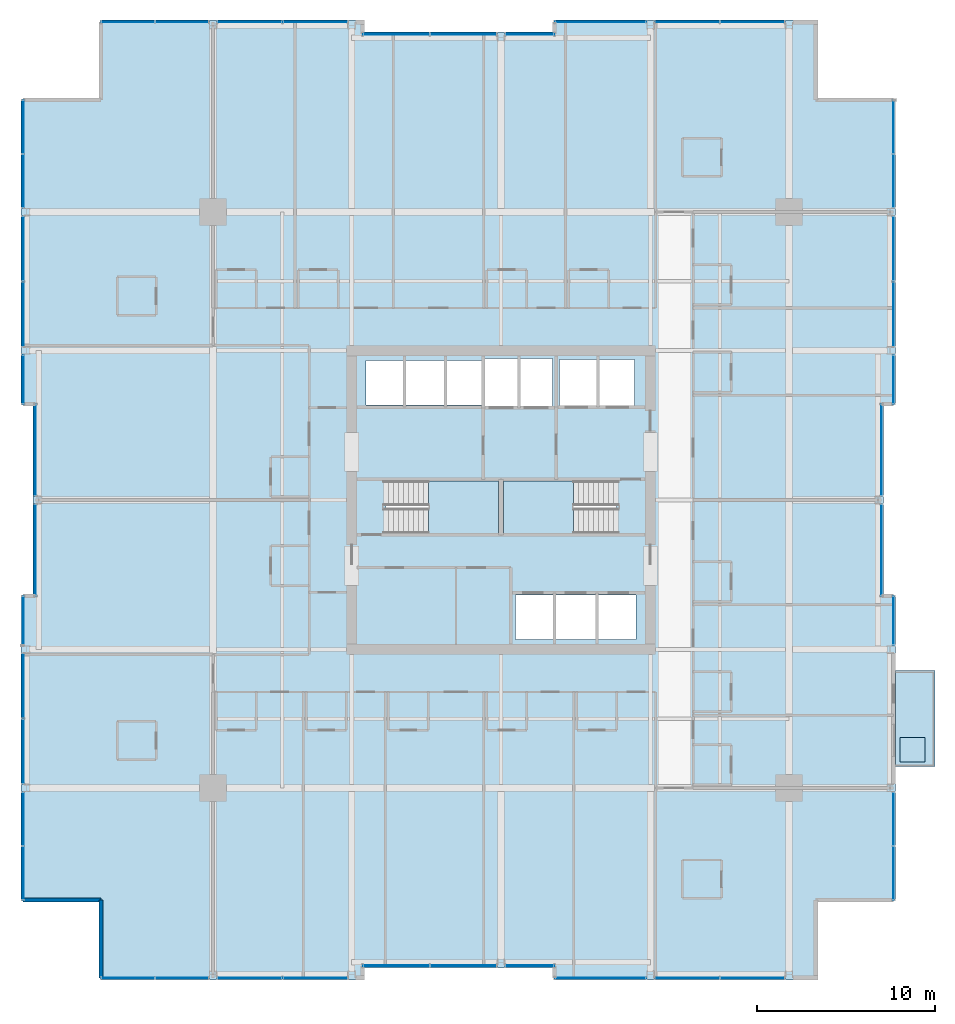
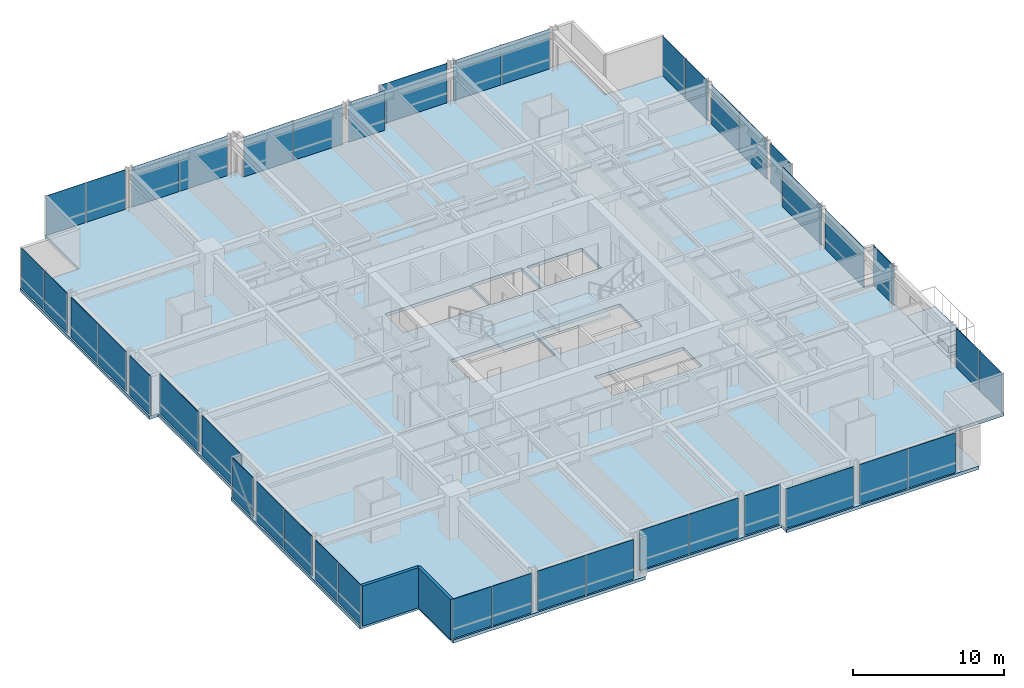
# One storey, part 27 of 35: 42 plates, 5 slabs, 2 walls, 29 elements without a shape of their own.
"""IFC4 building model written with IfcOpenShell, lengths in metres."""

from ifc_helpers import new_model, si_unit, direction, frame, frame_2d, origin, origin_2d, place, context, subcontext, project, spatial, polyline, rectangle, outline, extrude, material, layer, layer_set, type_object, element, aggregate, save


model = new_model("IFC4")

# Units and contexts
model_context = context("Model", 3, precision=1e-05, world=origin(), true_north=direction((0.0, 1.0)))
body_context = subcontext(model_context, "Body", "Model", "MODEL_VIEW")
ifc_project = project(units=[si_unit("LENGTHUNIT", "METRE"), si_unit("AREAUNIT", "SQUARE_METRE"), si_unit("VOLUMEUNIT", "CUBIC_METRE"), si_unit("PLANEANGLEUNIT", "RADIAN"), si_unit("MASSUNIT", "GRAM", prefix="KILO")], contexts=[model_context])

# Site, building, storey
site_placement = place(None, origin())
site = spatial("IfcSite", under=ifc_project, at=site_placement, CompositionType="ELEMENT")
building_placement = place(site_placement, origin())
building = spatial("IfcBuilding", under=site, at=building_placement, Name="Drelvath Grand Hotel", CompositionType="ELEMENT")
storey_placement = place(building_placement, frame((0.0, 0.0, 98.800048828125)))
storey = spatial("IfcBuildingStorey", under=building, at=storey_placement, Name="L24", CompositionType="ELEMENT", Elevation=98.800048828125)

# Slabs
ifc_material_1 = material(Name="Concrete f'c 40 MPa", Category="concrete")
ifc_layer_1 = layer(ifc_material_1, 0.239990234375)
ifc_layer_set_1 = layer_set([ifc_layer_1], Name="Concrete f'c 40 MPa")
slab_type_1 = type_object("IfcSlabType", Name="Cantilevered Tree Balcony Slab 240", PredefinedType="FLOOR", material=ifc_layer_set_1)
slab_1_placement = place(storey_placement, frame((0.0, 0.0, -0.239990234375)))
element("IfcSlab", 1, at=slab_1_placement, inside=storey, type_object=slab_type_1, Name="L24 Cantilevered Tree Balcony Slab 1", PredefinedType="FLOOR", context=body_context, shape_type="SweptSolid", body=[
    extrude(outline(polyline([(22.199951171875, 12.0), (24.39990234375, 12.0), (24.39990234375, 17.39990234375), (22.199951171875, 17.39990234375), (22.199951171875, 12.0)])), origin(), (0.0, 0.0, 1.0), 0.239990234375),
])
ifc_layer_2 = layer(ifc_material_1, 0.260009765625)
ifc_layer_set_2 = layer_set([ifc_layer_2], Name="Concrete f'c 40 MPa")
slab_type_2 = type_object("IfcSlabType", Name="Composite RC Floor Slab 260", PredefinedType="FLOOR", material=ifc_layer_set_2)
slab_2_placement = place(storey_placement, frame((0.0, 0.0, -0.260009765625)))
element("IfcSlab", 2, at=slab_2_placement, inside=storey, type_object=slab_type_2, Name="L24 Structural Floor Slab", PredefinedType="FLOOR", context=body_context, shape_type="SweptSolid", body=[
    extrude(outline(polyline([(-22.5, 0.0), (-7.800048828125, 0.0), (-7.800048828125, 0.679931640625), (3.0, 0.679931640625), (3.0, 0.0), (17.699951171875, 0.0), (17.699951171875, 4.5), (22.199951171875, 4.5), (22.199951171875, 21.60009765625), (21.52001953125, 21.60009765625), (21.52001953125, 32.39990234375), (22.199951171875, 32.39990234375), (22.199951171875, 49.5), (17.699951171875, 49.5), (17.699951171875, 54.0), (3.0, 54.0), (3.0, 53.320068359375), (-7.800048828125, 53.320068359375), (-7.800048828125, 54.0), (-22.5, 54.0), (-22.5, 49.5), (-27.0, 49.5), (-27.0, 32.39990234375), (-26.320068359375, 32.39990234375), (-26.320068359375, 21.60009765625), (-27.0, 21.60009765625), (-27.0, 4.5), (-22.5, 4.5), (-22.5, 0.0)]), holes=[polyline([(-6.47998046875, 25.1201171875), (-6.47998046875, 28.080078125), (-0.14990234375, 28.080078125), (-0.14990234375, 25.1201171875), (-6.47998046875, 25.1201171875)]), polyline([(0.14990234375, 25.1201171875), (0.14990234375, 28.080078125), (6.47998046875, 28.080078125), (6.47998046875, 25.1201171875), (0.14990234375, 25.1201171875)]), polyline([(0.800048828125, 19.14990234375), (0.800048828125, 21.64990234375), (7.60009765625, 21.64990234375), (7.60009765625, 19.14990234375), (0.800048828125, 19.14990234375)]), polyline([(-7.60009765625, 32.35009765625), (-7.60009765625, 34.85009765625), (-1.02001953125, 34.85009765625), (-1.02001953125, 32.35009765625), (-7.60009765625, 32.35009765625)]), polyline([(-0.89990234375, 32.25), (-0.89990234375, 34.949951171875), (2.89990234375, 34.949951171875), (2.89990234375, 32.25), (-0.89990234375, 32.25)]), polyline([(3.300048828125, 32.300048828125), (3.300048828125, 34.89990234375), (7.5, 34.89990234375), (7.5, 32.300048828125), (3.300048828125, 32.300048828125)])]), origin(), (0.0, 0.0, 1.0), 0.260009765625),
])

# Stair, slab
ifc_material_2 = material(Name="Concrete C40/50", Category="concrete")
stair_type = type_object("IfcStairType", Name="Dogleg Exit Stair W1400-R175.0", PredefinedType="HALF_TURN_STAIR", material=ifc_material_2)
stair_1_placement = place(storey_placement, origin())
stair_1 = element("IfcStair", 3, at=stair_1_placement, inside=storey, type_object=stair_type, Name="L24 Core Exit Stair ST-1", PredefinedType="HALF_TURN_STAIR")
ifc_layer_3 = layer(ifc_material_2, 0.199951171875)
ifc_layer_set_3 = layer_set([ifc_layer_3], Name="Concrete C40/50")
slab_type_3 = type_object("IfcSlabType", Name="Concrete Stair Landing Slab 200", PredefinedType="LANDING", material=ifc_layer_set_3)
slab_3_placement = place(storey_placement, frame((0.0, 0.0, 1.550048828125)))
slab_3 = element("IfcSlab", 4, at=slab_3_placement, type_object=slab_type_3, Name="ST-1 landing 1", PredefinedType="LANDING", context=body_context, shape_type="SweptSolid", body=[
    extrude(outline(polyline([(-4.080078125, 25.1201171875), (-0.14990234375, 25.1201171875), (-0.14990234375, 28.080078125), (-4.080078125, 28.080078125), (-4.080078125, 25.1201171875)])), origin(), (0.0, 0.0, 1.0), 0.199951171875),
])
aggregate(stair_1, [slab_3])

stair_2_placement = place(storey_placement, origin())
stair_2 = element("IfcStair", 5, at=stair_2_placement, inside=storey, type_object=stair_type, Name="L24 Core Exit Stair ST-2", PredefinedType="HALF_TURN_STAIR")
slab_4_placement = place(storey_placement, frame((0.0, 0.0, 1.550048828125)))
slab_4 = element("IfcSlab", 6, at=slab_4_placement, type_object=slab_type_3, Name="ST-2 landing 1", PredefinedType="LANDING", context=body_context, shape_type="SweptSolid", body=[
    extrude(outline(polyline([(4.080078125, 28.080078125), (0.14990234375, 28.080078125), (0.14990234375, 25.1201171875), (4.080078125, 25.1201171875), (4.080078125, 28.080078125)])), origin(), (0.0, 0.0, 1.0), 0.199951171875),
])
aggregate(stair_2, [slab_4])

# Curtain wall, plates
ifc_material_3 = material(Name="Champagne Bronze Anodised Aluminium Frame", Category="aluminium")
ifc_layer_4 = layer(ifc_material_3, 0.199951171875)
ifc_layer_set_4 = layer_set([ifc_layer_4], Name="Champagne Bronze Anodised Aluminium Frame")
curtain_wall_type = type_object("IfcCurtainWallType", Name="Stick Curtain Wall CW-03 Champagne Bronze Mid-Rise", PredefinedType="NOTDEFINED", material=ifc_layer_set_4)
curtain_wall_1_placement = place(storey_placement, origin())
curtain_wall_1 = element("IfcCurtainWall", 7, at=curtain_wall_1_placement, inside=storey, type_object=curtain_wall_type, Name="L24 CW-03 Curtain Wall CW03-L24-WS1", PredefinedType="NOTDEFINED")
ifc_material_4 = material(Name="Low-E Triple Silver Vision Glass Neutral", Category="glass")
ifc_layer_5 = layer(ifc_material_4, 0.035888671875)
ifc_layer_set_5 = layer_set([ifc_layer_5], Name="Low-E Triple Silver Vision Glass Neutral")
plate_type = type_object("IfcPlateType", Name="Curtain Wall Vision Panel CW-03 36mm", PredefinedType="CURTAIN_PANEL", material=ifc_layer_set_5)
plate_1_placement = place(storey_placement, frame((-26.8798828125, 6.02001953125, 0.02001953125), z_axis=(0.0, 0.0, 1.0), x_axis=(0.0, 1.0, 0.0)))
plate_1 = element("IfcPlate", 8, at=plate_1_placement, type_object=plate_type, Name="CW03-L24-WS1 Glazed Panel 1", PredefinedType="CURTAIN_PANEL", context=body_context, shape_type="SweptSolid", body=[
    extrude(rectangle(XDim=3.000244140625, YDim=0.035888671875, at=origin_2d()), origin(), (0.0, 0.0, 1.0), 3.199951171875),
])
plate_2_placement = place(storey_placement, frame((-26.8798828125, 9.060302734375, 0.02001953125), z_axis=(0.0, 0.0, 1.0), x_axis=(0.0, 1.0, 0.0)))
plate_2 = element("IfcPlate", 9, at=plate_2_placement, type_object=plate_type, Name="CW03-L24-WS1 Glazed Panel 2", PredefinedType="CURTAIN_PANEL", context=body_context, shape_type="SweptSolid", body=[
    extrude(rectangle(XDim=3.000244140625, YDim=0.035888671875, at=origin_2d()), origin(), (0.0, 0.0, 1.0), 3.199951171875),
])
aggregate(curtain_wall_1, [plate_1, plate_2])

curtain_wall_2_placement = place(storey_placement, origin())
curtain_wall_2 = element("IfcCurtainWall", 10, at=curtain_wall_2_placement, inside=storey, type_object=curtain_wall_type, Name="L24 CW-03 Curtain Wall CW03-L24-WS2", PredefinedType="NOTDEFINED")
plate_3_placement = place(storey_placement, frame((-26.8798828125, 12.85986328125, 0.02001953125), z_axis=(0.0, 0.0, 1.0), x_axis=(0.0, 1.0, 0.0)))
plate_3 = element("IfcPlate", 11, at=plate_3_placement, type_object=plate_type, Name="CW03-L24-WS2 Glazed Panel 1", PredefinedType="CURTAIN_PANEL", context=body_context, shape_type="SweptSolid", body=[
    extrude(rectangle(XDim=3.640380859375, YDim=0.035888671875, at=origin_2d()), origin(), (0.0, 0.0, 1.0), 3.199951171875),
])
plate_4_placement = place(storey_placement, frame((-26.8798828125, 16.540283203125, 0.02001953125), z_axis=(0.0, 0.0, 1.0), x_axis=(0.0, 1.0, 0.0)))
plate_4 = element("IfcPlate", 12, at=plate_4_placement, type_object=plate_type, Name="CW03-L24-WS2 Glazed Panel 2", PredefinedType="CURTAIN_PANEL", context=body_context, shape_type="SweptSolid", body=[
    extrude(rectangle(XDim=3.640380859375, YDim=0.035888671875, at=origin_2d()), origin(), (0.0, 0.0, 1.0), 3.199951171875),
])
aggregate(curtain_wall_2, [plate_3, plate_4])

# Curtain wall, plate
curtain_wall_3_placement = place(storey_placement, origin())
curtain_wall_3 = element("IfcCurtainWall", 13, at=curtain_wall_3_placement, inside=storey, type_object=curtain_wall_type, Name="L24 CW-03 Curtain Wall CW03-L24-WS3", PredefinedType="NOTDEFINED")
plate_5_placement = place(storey_placement, frame((-26.8798828125, 20.209716796875, 0.02001953125), z_axis=(0.0, 0.0, 1.0), x_axis=(0.0, 1.0, 0.0)))
plate_5 = element("IfcPlate", 14, at=plate_5_placement, type_object=plate_type, Name="CW03-L24-WS3 Glazed Panel 1", PredefinedType="CURTAIN_PANEL", context=body_context, shape_type="SweptSolid", body=[
    extrude(rectangle(XDim=2.740478515625, YDim=0.035888671875, at=origin_2d()), origin(), (0.0, 0.0, 1.0), 3.199951171875),
])
aggregate(curtain_wall_3, [plate_5])

curtain_wall_4_placement = place(storey_placement, origin())
curtain_wall_4 = element("IfcCurtainWall", 15, at=curtain_wall_4_placement, inside=storey, type_object=curtain_wall_type, Name="L24 CW-03 Curtain Wall CW03-L24-WM1", PredefinedType="NOTDEFINED")
plate_6_placement = place(storey_placement, frame((-26.199951171875, 24.190185546875, 0.02001953125), z_axis=(0.0, 0.0, 1.0), x_axis=(0.0, 1.0, 0.0)))
plate_6 = element("IfcPlate", 16, at=plate_6_placement, type_object=plate_type, Name="CW03-L24-WM1 Glazed Panel 1", PredefinedType="CURTAIN_PANEL", context=body_context, shape_type="SweptSolid", body=[
    extrude(rectangle(XDim=5.140380859375, YDim=0.035888671875, at=origin_2d()), origin(), (0.0, 0.0, 1.0), 3.199951171875),
])
aggregate(curtain_wall_4, [plate_6])

curtain_wall_5_placement = place(storey_placement, origin())
curtain_wall_5 = element("IfcCurtainWall", 17, at=curtain_wall_5_placement, inside=storey, type_object=curtain_wall_type, Name="L24 CW-03 Curtain Wall CW03-L24-WM2", PredefinedType="NOTDEFINED")
plate_7_placement = place(storey_placement, frame((-26.199951171875, 29.809814453125, 0.02001953125), z_axis=(0.0, 0.0, 1.0), x_axis=(0.0, 1.0, 0.0)))
plate_7 = element("IfcPlate", 18, at=plate_7_placement, type_object=plate_type, Name="CW03-L24-WM2 Glazed Panel 1", PredefinedType="CURTAIN_PANEL", context=body_context, shape_type="SweptSolid", body=[
    extrude(rectangle(XDim=5.140380859375, YDim=0.035888671875, at=origin_2d()), origin(), (0.0, 0.0, 1.0), 3.199951171875),
])
aggregate(curtain_wall_5, [plate_7])

curtain_wall_6_placement = place(storey_placement, origin())
curtain_wall_6 = element("IfcCurtainWall", 19, at=curtain_wall_6_placement, inside=storey, type_object=curtain_wall_type, Name="L24 CW-03 Curtain Wall CW03-L24-WN1", PredefinedType="NOTDEFINED")
plate_8_placement = place(storey_placement, frame((-26.8798828125, 33.790283203125, 0.02001953125), z_axis=(0.0, 0.0, 1.0), x_axis=(0.0, 1.0, 0.0)))
plate_8 = element("IfcPlate", 20, at=plate_8_placement, type_object=plate_type, Name="CW03-L24-WN1 Glazed Panel 1", PredefinedType="CURTAIN_PANEL", context=body_context, shape_type="SweptSolid", body=[
    extrude(rectangle(XDim=2.740478515625, YDim=0.035888671875, at=origin_2d()), origin(), (0.0, 0.0, 1.0), 3.199951171875),
])
aggregate(curtain_wall_6, [plate_8])

# Curtain wall, plates
curtain_wall_7_placement = place(storey_placement, origin())
curtain_wall_7 = element("IfcCurtainWall", 21, at=curtain_wall_7_placement, inside=storey, type_object=curtain_wall_type, Name="L24 CW-03 Curtain Wall CW03-L24-WN2", PredefinedType="NOTDEFINED")
plate_9_placement = place(storey_placement, frame((-26.8798828125, 37.459716796875, 0.02001953125), z_axis=(0.0, 0.0, 1.0), x_axis=(0.0, 1.0, 0.0)))
plate_9 = element("IfcPlate", 22, at=plate_9_placement, type_object=plate_type, Name="CW03-L24-WN2 Glazed Panel 1", PredefinedType="CURTAIN_PANEL", context=body_context, shape_type="SweptSolid", body=[
    extrude(rectangle(XDim=3.640380859375, YDim=0.035888671875, at=origin_2d()), origin(), (0.0, 0.0, 1.0), 3.199951171875),
])
plate_10_placement = place(storey_placement, frame((-26.8798828125, 41.14013671875, 0.02001953125), z_axis=(0.0, 0.0, 1.0), x_axis=(0.0, 1.0, 0.0)))
plate_10 = element("IfcPlate", 23, at=plate_10_placement, type_object=plate_type, Name="CW03-L24-WN2 Glazed Panel 2", PredefinedType="CURTAIN_PANEL", context=body_context, shape_type="SweptSolid", body=[
    extrude(rectangle(XDim=3.640380859375, YDim=0.035888671875, at=origin_2d()), origin(), (0.0, 0.0, 1.0), 3.199951171875),
])
aggregate(curtain_wall_7, [plate_9, plate_10])

curtain_wall_8_placement = place(storey_placement, origin())
curtain_wall_8 = element("IfcCurtainWall", 24, at=curtain_wall_8_placement, inside=storey, type_object=curtain_wall_type, Name="L24 CW-03 Curtain Wall CW03-L24-WN3", PredefinedType="NOTDEFINED")
plate_11_placement = place(storey_placement, frame((-26.8798828125, 44.939697265625, 0.02001953125), z_axis=(0.0, 0.0, 1.0), x_axis=(0.0, 1.0, 0.0)))
plate_11 = element("IfcPlate", 25, at=plate_11_placement, type_object=plate_type, Name="CW03-L24-WN3 Glazed Panel 1", PredefinedType="CURTAIN_PANEL", context=body_context, shape_type="SweptSolid", body=[
    extrude(rectangle(XDim=3.000244140625, YDim=0.035888671875, at=origin_2d()), origin(), (0.0, 0.0, 1.0), 3.199951171875),
])
plate_12_placement = place(storey_placement, frame((-26.8798828125, 47.97998046875, 0.02001953125), z_axis=(0.0, 0.0, 1.0), x_axis=(0.0, 1.0, 0.0)))
plate_12 = element("IfcPlate", 26, at=plate_12_placement, type_object=plate_type, Name="CW03-L24-WN3 Glazed Panel 2", PredefinedType="CURTAIN_PANEL", context=body_context, shape_type="SweptSolid", body=[
    extrude(rectangle(XDim=3.000244140625, YDim=0.035888671875, at=origin_2d()), origin(), (0.0, 0.0, 1.0), 3.199951171875),
])
aggregate(curtain_wall_8, [plate_11, plate_12])

# Curtain wall, plate
curtain_wall_9_placement = place(storey_placement, origin())
curtain_wall_9 = element("IfcCurtainWall", 27, at=curtain_wall_9_placement, inside=storey, type_object=curtain_wall_type, Name="L24 CW-03 Curtain Wall CW03-L24-EN1", PredefinedType="NOTDEFINED")
plate_13_placement = place(storey_placement, frame((22.080078125, 33.790283203125, 0.02001953125), z_axis=(0.0, 0.0, 1.0), x_axis=(0.0, -1.0, 0.0)))
plate_13 = element("IfcPlate", 28, at=plate_13_placement, type_object=plate_type, Name="CW03-L24-EN1 Glazed Panel 1", PredefinedType="CURTAIN_PANEL", context=body_context, shape_type="SweptSolid", body=[
    extrude(rectangle(XDim=2.740478515625, YDim=0.035888671875, at=origin_2d()), origin(), (0.0, 0.0, 1.0), 3.199951171875),
])
aggregate(curtain_wall_9, [plate_13])

# Curtain wall, plates
curtain_wall_10_placement = place(storey_placement, origin())
curtain_wall_10 = element("IfcCurtainWall", 29, at=curtain_wall_10_placement, inside=storey, type_object=curtain_wall_type, Name="L24 CW-03 Curtain Wall CW03-L24-EN2", PredefinedType="NOTDEFINED")
plate_14_placement = place(storey_placement, frame((22.080078125, 41.14013671875, 0.02001953125), z_axis=(0.0, 0.0, 1.0), x_axis=(0.0, -1.0, 0.0)))
plate_14 = element("IfcPlate", 30, at=plate_14_placement, type_object=plate_type, Name="CW03-L24-EN2 Glazed Panel 1", PredefinedType="CURTAIN_PANEL", context=body_context, shape_type="SweptSolid", body=[
    extrude(rectangle(XDim=3.640380859375, YDim=0.035888671875, at=origin_2d()), origin(), (0.0, 0.0, 1.0), 3.199951171875),
])
plate_15_placement = place(storey_placement, frame((22.080078125, 37.459716796875, 0.02001953125), z_axis=(0.0, 0.0, 1.0), x_axis=(0.0, -1.0, 0.0)))
plate_15 = element("IfcPlate", 31, at=plate_15_placement, type_object=plate_type, Name="CW03-L24-EN2 Glazed Panel 2", PredefinedType="CURTAIN_PANEL", context=body_context, shape_type="SweptSolid", body=[
    extrude(rectangle(XDim=3.640380859375, YDim=0.035888671875, at=origin_2d()), origin(), (0.0, 0.0, 1.0), 3.199951171875),
])
aggregate(curtain_wall_10, [plate_14, plate_15])

curtain_wall_11_placement = place(storey_placement, origin())
curtain_wall_11 = element("IfcCurtainWall", 32, at=curtain_wall_11_placement, inside=storey, type_object=curtain_wall_type, Name="L24 CW-03 Curtain Wall CW03-L24-EN3", PredefinedType="NOTDEFINED")
plate_16_placement = place(storey_placement, frame((22.080078125, 47.97998046875, 0.02001953125), z_axis=(0.0, 0.0, 1.0), x_axis=(0.0, -1.0, 0.0)))
plate_16 = element("IfcPlate", 33, at=plate_16_placement, type_object=plate_type, Name="CW03-L24-EN3 Glazed Panel 1", PredefinedType="CURTAIN_PANEL", context=body_context, shape_type="SweptSolid", body=[
    extrude(rectangle(XDim=3.000244140625, YDim=0.035888671875, at=origin_2d()), origin(), (0.0, 0.0, 1.0), 3.199951171875),
])
plate_17_placement = place(storey_placement, frame((22.080078125, 44.939697265625, 0.02001953125), z_axis=(0.0, 0.0, 1.0), x_axis=(0.0, -1.0, 0.0)))
plate_17 = element("IfcPlate", 34, at=plate_17_placement, type_object=plate_type, Name="CW03-L24-EN3 Glazed Panel 2", PredefinedType="CURTAIN_PANEL", context=body_context, shape_type="SweptSolid", body=[
    extrude(rectangle(XDim=3.000244140625, YDim=0.035888671875, at=origin_2d()), origin(), (0.0, 0.0, 1.0), 3.199951171875),
])
aggregate(curtain_wall_11, [plate_16, plate_17])

# Curtain wall, plate
curtain_wall_12_placement = place(storey_placement, origin())
curtain_wall_12 = element("IfcCurtainWall", 35, at=curtain_wall_12_placement, inside=storey, type_object=curtain_wall_type, Name="L24 CW-03 Curtain Wall CW03-L24-EM1", PredefinedType="NOTDEFINED")
plate_18_placement = place(storey_placement, frame((21.39990234375, 24.190185546875, 0.02001953125), z_axis=(0.0, 0.0, 1.0), x_axis=(0.0, -1.0, 0.0)))
plate_18 = element("IfcPlate", 36, at=plate_18_placement, type_object=plate_type, Name="CW03-L24-EM1 Glazed Panel 1", PredefinedType="CURTAIN_PANEL", context=body_context, shape_type="SweptSolid", body=[
    extrude(rectangle(XDim=5.140380859375, YDim=0.035888671875, at=origin_2d()), origin(), (0.0, 0.0, 1.0), 3.199951171875),
])
aggregate(curtain_wall_12, [plate_18])

curtain_wall_13_placement = place(storey_placement, origin())
curtain_wall_13 = element("IfcCurtainWall", 37, at=curtain_wall_13_placement, inside=storey, type_object=curtain_wall_type, Name="L24 CW-03 Curtain Wall CW03-L24-EM2", PredefinedType="NOTDEFINED")
plate_19_placement = place(storey_placement, frame((21.39990234375, 29.809814453125, 0.02001953125), z_axis=(0.0, 0.0, 1.0), x_axis=(0.0, -1.0, 0.0)))
plate_19 = element("IfcPlate", 38, at=plate_19_placement, type_object=plate_type, Name="CW03-L24-EM2 Glazed Panel 1", PredefinedType="CURTAIN_PANEL", context=body_context, shape_type="SweptSolid", body=[
    extrude(rectangle(XDim=5.140380859375, YDim=0.035888671875, at=origin_2d()), origin(), (0.0, 0.0, 1.0), 3.199951171875),
])
aggregate(curtain_wall_13, [plate_19])

# Curtain wall, plates
curtain_wall_14_placement = place(storey_placement, origin())
curtain_wall_14 = element("IfcCurtainWall", 39, at=curtain_wall_14_placement, inside=storey, type_object=curtain_wall_type, Name="L24 CW-03 Curtain Wall CW03-L24-ES1", PredefinedType="NOTDEFINED")
plate_20_placement = place(storey_placement, frame((22.080078125, 9.060302734375, 0.02001953125), z_axis=(0.0, 0.0, 1.0), x_axis=(0.0, -1.0, 0.0)))
plate_20 = element("IfcPlate", 40, at=plate_20_placement, type_object=plate_type, Name="CW03-L24-ES1 Glazed Panel 1", PredefinedType="CURTAIN_PANEL", context=body_context, shape_type="SweptSolid", body=[
    extrude(rectangle(XDim=3.000244140625, YDim=0.035888671875, at=origin_2d()), origin(), (0.0, 0.0, 1.0), 3.199951171875),
])
plate_21_placement = place(storey_placement, frame((22.080078125, 6.02001953125, 0.02001953125), z_axis=(0.0, 0.0, 1.0), x_axis=(0.0, -1.0, 0.0)))
plate_21 = element("IfcPlate", 41, at=plate_21_placement, type_object=plate_type, Name="CW03-L24-ES1 Glazed Panel 2", PredefinedType="CURTAIN_PANEL", context=body_context, shape_type="SweptSolid", body=[
    extrude(rectangle(XDim=3.000244140625, YDim=0.035888671875, at=origin_2d()), origin(), (0.0, 0.0, 1.0), 3.199951171875),
])
aggregate(curtain_wall_14, [plate_20, plate_21])

# Curtain wall, plate
curtain_wall_15_placement = place(storey_placement, origin())
curtain_wall_15 = element("IfcCurtainWall", 42, at=curtain_wall_15_placement, inside=storey, type_object=curtain_wall_type, Name="L24 CW-03 Curtain Wall CW03-L24-ES3", PredefinedType="NOTDEFINED")
plate_22_placement = place(storey_placement, frame((22.080078125, 20.209716796875, 0.02001953125), z_axis=(0.0, 0.0, 1.0), x_axis=(0.0, -1.0, 0.0)))
plate_22 = element("IfcPlate", 43, at=plate_22_placement, type_object=plate_type, Name="CW03-L24-ES3 Glazed Panel 1", PredefinedType="CURTAIN_PANEL", context=body_context, shape_type="SweptSolid", body=[
    extrude(rectangle(XDim=2.740478515625, YDim=0.035888671875, at=origin_2d()), origin(), (0.0, 0.0, 1.0), 3.199951171875),
])
aggregate(curtain_wall_15, [plate_22])

# Curtain wall, plates
curtain_wall_16_placement = place(storey_placement, origin())
curtain_wall_16 = element("IfcCurtainWall", 44, at=curtain_wall_16_placement, inside=storey, type_object=curtain_wall_type, Name="L24 CW-03 Curtain Wall CW03-L24-NW1", PredefinedType="NOTDEFINED")
plate_23_placement = place(storey_placement, frame((-20.97998046875, 53.8798828125, 0.02001953125), z_axis=(0.0, 0.0, 1.0), x_axis=(1.0, 0.0, 0.0)))
plate_23 = element("IfcPlate", 45, at=plate_23_placement, type_object=plate_type, Name="CW03-L24-NW1 Glazed Panel 1", PredefinedType="CURTAIN_PANEL", context=body_context, shape_type="SweptSolid", body=[
    extrude(rectangle(XDim=3.000244140625, YDim=0.035888671875, at=origin_2d()), origin(), (0.0, 0.0, 1.0), 3.199951171875),
])
plate_24_placement = place(storey_placement, frame((-17.939697265625, 53.8798828125, 0.02001953125), z_axis=(0.0, 0.0, 1.0), x_axis=(1.0, 0.0, 0.0)))
plate_24 = element("IfcPlate", 46, at=plate_24_placement, type_object=plate_type, Name="CW03-L24-NW1 Glazed Panel 2", PredefinedType="CURTAIN_PANEL", context=body_context, shape_type="SweptSolid", body=[
    extrude(rectangle(XDim=3.000244140625, YDim=0.035888671875, at=origin_2d()), origin(), (0.0, 0.0, 1.0), 3.199951171875),
])
aggregate(curtain_wall_16, [plate_23, plate_24])

curtain_wall_17_placement = place(storey_placement, origin())
curtain_wall_17 = element("IfcCurtainWall", 47, at=curtain_wall_17_placement, inside=storey, type_object=curtain_wall_type, Name="L24 CW-03 Curtain Wall CW03-L24-NW2", PredefinedType="NOTDEFINED")
plate_25_placement = place(storey_placement, frame((-14.14013671875, 53.8798828125, 0.02001953125), z_axis=(0.0, 0.0, 1.0), x_axis=(1.0, 0.0, 0.0)))
plate_25 = element("IfcPlate", 48, at=plate_25_placement, type_object=plate_type, Name="CW03-L24-NW2 Glazed Panel 1", PredefinedType="CURTAIN_PANEL", context=body_context, shape_type="SweptSolid", body=[
    extrude(rectangle(XDim=3.640380859375, YDim=0.035888671875, at=origin_2d()), origin(), (0.0, 0.0, 1.0), 3.199951171875),
])
plate_26_placement = place(storey_placement, frame((-10.459716796875, 53.8798828125, 0.02001953125), z_axis=(0.0, 0.0, 1.0), x_axis=(1.0, 0.0, 0.0)))
plate_26 = element("IfcPlate", 49, at=plate_26_placement, type_object=plate_type, Name="CW03-L24-NW2 Glazed Panel 2", PredefinedType="CURTAIN_PANEL", context=body_context, shape_type="SweptSolid", body=[
    extrude(rectangle(XDim=3.640380859375, YDim=0.035888671875, at=origin_2d()), origin(), (0.0, 0.0, 1.0), 3.199951171875),
])
aggregate(curtain_wall_17, [plate_25, plate_26])

curtain_wall_18_placement = place(storey_placement, origin())
curtain_wall_18 = element("IfcCurtainWall", 50, at=curtain_wall_18_placement, inside=storey, type_object=curtain_wall_type, Name="L24 CW-03 Curtain Wall CW03-L24-NM1", PredefinedType="NOTDEFINED")
plate_27_placement = place(storey_placement, frame((-5.90478515625, 53.199951171875, 0.02001953125), z_axis=(0.0, 0.0, 1.0), x_axis=(1.0, 0.0, 0.0)))
plate_27 = element("IfcPlate", 51, at=plate_27_placement, type_object=plate_type, Name="CW03-L24-NM1 Glazed Panel 1", PredefinedType="CURTAIN_PANEL", context=body_context, shape_type="SweptSolid", body=[
    extrude(rectangle(XDim=3.750244140625, YDim=0.035888671875, at=origin_2d()), origin(), (0.0, 0.0, 1.0), 3.199951171875),
])
plate_28_placement = place(storey_placement, frame((-2.11474609375, 53.199951171875, 0.02001953125), z_axis=(0.0, 0.0, 1.0), x_axis=(1.0, 0.0, 0.0)))
plate_28 = element("IfcPlate", 52, at=plate_28_placement, type_object=plate_type, Name="CW03-L24-NM1 Glazed Panel 2", PredefinedType="CURTAIN_PANEL", context=body_context, shape_type="SweptSolid", body=[
    extrude(rectangle(XDim=3.750244140625, YDim=0.035888671875, at=origin_2d()), origin(), (0.0, 0.0, 1.0), 3.199951171875),
])
aggregate(curtain_wall_18, [plate_27, plate_28])

# Curtain wall, plate
curtain_wall_19_placement = place(storey_placement, origin())
curtain_wall_19 = element("IfcCurtainWall", 53, at=curtain_wall_19_placement, inside=storey, type_object=curtain_wall_type, Name="L24 CW-03 Curtain Wall CW03-L24-NM2", PredefinedType="NOTDEFINED")
plate_29_placement = place(storey_placement, frame((1.60986328125, 53.199951171875, 0.02001953125), z_axis=(0.0, 0.0, 1.0), x_axis=(1.0, 0.0, 0.0)))
plate_29 = element("IfcPlate", 54, at=plate_29_placement, type_object=plate_type, Name="CW03-L24-NM2 Glazed Panel 1", PredefinedType="CURTAIN_PANEL", context=body_context, shape_type="SweptSolid", body=[
    extrude(rectangle(XDim=2.740478515625, YDim=0.035888671875, at=origin_2d()), origin(), (0.0, 0.0, 1.0), 3.199951171875),
])
aggregate(curtain_wall_19, [plate_29])

curtain_wall_20_placement = place(storey_placement, origin())
curtain_wall_20 = element("IfcCurtainWall", 55, at=curtain_wall_20_placement, inside=storey, type_object=curtain_wall_type, Name="L24 CW-03 Curtain Wall CW03-L24-NE1", PredefinedType="NOTDEFINED")
plate_30_placement = place(storey_placement, frame((5.590087890625, 53.8798828125, 0.02001953125), z_axis=(0.0, 0.0, 1.0), x_axis=(1.0, 0.0, 0.0)))
plate_30 = element("IfcPlate", 56, at=plate_30_placement, type_object=plate_type, Name="CW03-L24-NE1 Glazed Panel 1", PredefinedType="CURTAIN_PANEL", context=body_context, shape_type="SweptSolid", body=[
    extrude(rectangle(XDim=5.140380859375, YDim=0.035888671875, at=origin_2d()), origin(), (0.0, 0.0, 1.0), 3.199951171875),
])
aggregate(curtain_wall_20, [plate_30])

# Curtain wall, plates
curtain_wall_21_placement = place(storey_placement, origin())
curtain_wall_21 = element("IfcCurtainWall", 57, at=curtain_wall_21_placement, inside=storey, type_object=curtain_wall_type, Name="L24 CW-03 Curtain Wall CW03-L24-NE2", PredefinedType="NOTDEFINED")
plate_31_placement = place(storey_placement, frame((10.459716796875, 53.8798828125, 0.02001953125), z_axis=(0.0, 0.0, 1.0), x_axis=(1.0, 0.0, 0.0)))
plate_31 = element("IfcPlate", 58, at=plate_31_placement, type_object=plate_type, Name="CW03-L24-NE2 Glazed Panel 1", PredefinedType="CURTAIN_PANEL", context=body_context, shape_type="SweptSolid", body=[
    extrude(rectangle(XDim=3.640380859375, YDim=0.035888671875, at=origin_2d()), origin(), (0.0, 0.0, 1.0), 3.199951171875),
])
plate_32_placement = place(storey_placement, frame((14.14013671875, 53.8798828125, 0.02001953125), z_axis=(0.0, 0.0, 1.0), x_axis=(1.0, 0.0, 0.0)))
plate_32 = element("IfcPlate", 59, at=plate_32_placement, type_object=plate_type, Name="CW03-L24-NE2 Glazed Panel 2", PredefinedType="CURTAIN_PANEL", context=body_context, shape_type="SweptSolid", body=[
    extrude(rectangle(XDim=3.640380859375, YDim=0.035888671875, at=origin_2d()), origin(), (0.0, 0.0, 1.0), 3.199951171875),
])
aggregate(curtain_wall_21, [plate_31, plate_32])

# Curtain wall, plate
curtain_wall_22_placement = place(storey_placement, origin())
curtain_wall_22 = element("IfcCurtainWall", 60, at=curtain_wall_22_placement, inside=storey, type_object=curtain_wall_type, Name="L24 CW-03 Curtain Wall CW03-L24-SE1", PredefinedType="NOTDEFINED")
plate_33_placement = place(storey_placement, frame((5.590087890625, 0.1201171875, 0.02001953125), z_axis=(0.0, 0.0, 1.0), x_axis=(-1.0, 0.0, 0.0)))
plate_33 = element("IfcPlate", 61, at=plate_33_placement, type_object=plate_type, Name="CW03-L24-SE1 Glazed Panel 1", PredefinedType="CURTAIN_PANEL", context=body_context, shape_type="SweptSolid", body=[
    extrude(rectangle(XDim=5.140380859375, YDim=0.035888671875, at=origin_2d()), origin(), (0.0, 0.0, 1.0), 3.199951171875),
])
aggregate(curtain_wall_22, [plate_33])

# Curtain wall, plates
curtain_wall_23_placement = place(storey_placement, origin())
curtain_wall_23 = element("IfcCurtainWall", 62, at=curtain_wall_23_placement, inside=storey, type_object=curtain_wall_type, Name="L24 CW-03 Curtain Wall CW03-L24-SE2", PredefinedType="NOTDEFINED")
plate_34_placement = place(storey_placement, frame((14.14013671875, 0.1201171875, 0.02001953125), z_axis=(0.0, 0.0, 1.0), x_axis=(-1.0, 0.0, 0.0)))
plate_34 = element("IfcPlate", 63, at=plate_34_placement, type_object=plate_type, Name="CW03-L24-SE2 Glazed Panel 1", PredefinedType="CURTAIN_PANEL", context=body_context, shape_type="SweptSolid", body=[
    extrude(rectangle(XDim=3.640380859375, YDim=0.035888671875, at=origin_2d()), origin(), (0.0, 0.0, 1.0), 3.199951171875),
])
plate_35_placement = place(storey_placement, frame((10.459716796875, 0.1201171875, 0.02001953125), z_axis=(0.0, 0.0, 1.0), x_axis=(-1.0, 0.0, 0.0)))
plate_35 = element("IfcPlate", 64, at=plate_35_placement, type_object=plate_type, Name="CW03-L24-SE2 Glazed Panel 2", PredefinedType="CURTAIN_PANEL", context=body_context, shape_type="SweptSolid", body=[
    extrude(rectangle(XDim=3.640380859375, YDim=0.035888671875, at=origin_2d()), origin(), (0.0, 0.0, 1.0), 3.199951171875),
])
aggregate(curtain_wall_23, [plate_34, plate_35])

curtain_wall_24_placement = place(storey_placement, origin())
curtain_wall_24 = element("IfcCurtainWall", 65, at=curtain_wall_24_placement, inside=storey, type_object=curtain_wall_type, Name="L24 CW-03 Curtain Wall CW03-L24-SM1", PredefinedType="NOTDEFINED")
plate_36_placement = place(storey_placement, frame((-2.11474609375, 0.800048828125, 0.02001953125), z_axis=(0.0, 0.0, 1.0), x_axis=(-1.0, 0.0, 0.0)))
plate_36 = element("IfcPlate", 66, at=plate_36_placement, type_object=plate_type, Name="CW03-L24-SM1 Glazed Panel 1", PredefinedType="CURTAIN_PANEL", context=body_context, shape_type="SweptSolid", body=[
    extrude(rectangle(XDim=3.750244140625, YDim=0.035888671875, at=origin_2d()), origin(), (0.0, 0.0, 1.0), 3.199951171875),
])
plate_37_placement = place(storey_placement, frame((-5.90478515625, 0.800048828125, 0.02001953125), z_axis=(0.0, 0.0, 1.0), x_axis=(-1.0, 0.0, 0.0)))
plate_37 = element("IfcPlate", 67, at=plate_37_placement, type_object=plate_type, Name="CW03-L24-SM1 Glazed Panel 2", PredefinedType="CURTAIN_PANEL", context=body_context, shape_type="SweptSolid", body=[
    extrude(rectangle(XDim=3.750244140625, YDim=0.035888671875, at=origin_2d()), origin(), (0.0, 0.0, 1.0), 3.199951171875),
])
aggregate(curtain_wall_24, [plate_36, plate_37])

# Curtain wall, plate
curtain_wall_25_placement = place(storey_placement, origin())
curtain_wall_25 = element("IfcCurtainWall", 68, at=curtain_wall_25_placement, inside=storey, type_object=curtain_wall_type, Name="L24 CW-03 Curtain Wall CW03-L24-SM2", PredefinedType="NOTDEFINED")
plate_38_placement = place(storey_placement, frame((1.60986328125, 0.800048828125, 0.02001953125), z_axis=(0.0, 0.0, 1.0), x_axis=(-1.0, 0.0, 0.0)))
plate_38 = element("IfcPlate", 69, at=plate_38_placement, type_object=plate_type, Name="CW03-L24-SM2 Glazed Panel 1", PredefinedType="CURTAIN_PANEL", context=body_context, shape_type="SweptSolid", body=[
    extrude(rectangle(XDim=2.740478515625, YDim=0.035888671875, at=origin_2d()), origin(), (0.0, 0.0, 1.0), 3.199951171875),
])
aggregate(curtain_wall_25, [plate_38])

# Curtain wall, plates
curtain_wall_26_placement = place(storey_placement, origin())
curtain_wall_26 = element("IfcCurtainWall", 70, at=curtain_wall_26_placement, inside=storey, type_object=curtain_wall_type, Name="L24 CW-03 Curtain Wall CW03-L24-SW1", PredefinedType="NOTDEFINED")
plate_39_placement = place(storey_placement, frame((-17.939697265625, 0.1201171875, 0.02001953125), z_axis=(0.0, 0.0, 1.0), x_axis=(-1.0, 0.0, 0.0)))
plate_39 = element("IfcPlate", 71, at=plate_39_placement, type_object=plate_type, Name="CW03-L24-SW1 Glazed Panel 1", PredefinedType="CURTAIN_PANEL", context=body_context, shape_type="SweptSolid", body=[
    extrude(rectangle(XDim=3.000244140625, YDim=0.035888671875, at=origin_2d()), origin(), (0.0, 0.0, 1.0), 3.199951171875),
])
plate_40_placement = place(storey_placement, frame((-20.97998046875, 0.1201171875, 0.02001953125), z_axis=(0.0, 0.0, 1.0), x_axis=(-1.0, 0.0, 0.0)))
plate_40 = element("IfcPlate", 72, at=plate_40_placement, type_object=plate_type, Name="CW03-L24-SW1 Glazed Panel 2", PredefinedType="CURTAIN_PANEL", context=body_context, shape_type="SweptSolid", body=[
    extrude(rectangle(XDim=3.000244140625, YDim=0.035888671875, at=origin_2d()), origin(), (0.0, 0.0, 1.0), 3.199951171875),
])
aggregate(curtain_wall_26, [plate_39, plate_40])

curtain_wall_27_placement = place(storey_placement, origin())
curtain_wall_27 = element("IfcCurtainWall", 73, at=curtain_wall_27_placement, inside=storey, type_object=curtain_wall_type, Name="L24 CW-03 Curtain Wall CW03-L24-SW2", PredefinedType="NOTDEFINED")
plate_41_placement = place(storey_placement, frame((-10.459716796875, 0.1201171875, 0.02001953125), z_axis=(0.0, 0.0, 1.0), x_axis=(-1.0, 0.0, 0.0)))
plate_41 = element("IfcPlate", 74, at=plate_41_placement, type_object=plate_type, Name="CW03-L24-SW2 Glazed Panel 1", PredefinedType="CURTAIN_PANEL", context=body_context, shape_type="SweptSolid", body=[
    extrude(rectangle(XDim=3.640380859375, YDim=0.035888671875, at=origin_2d()), origin(), (0.0, 0.0, 1.0), 3.199951171875),
])
plate_42_placement = place(storey_placement, frame((-14.14013671875, 0.1201171875, 0.02001953125), z_axis=(0.0, 0.0, 1.0), x_axis=(-1.0, 0.0, 0.0)))
plate_42 = element("IfcPlate", 75, at=plate_42_placement, type_object=plate_type, Name="CW03-L24-SW2 Glazed Panel 2", PredefinedType="CURTAIN_PANEL", context=body_context, shape_type="SweptSolid", body=[
    extrude(rectangle(XDim=3.640380859375, YDim=0.035888671875, at=origin_2d()), origin(), (0.0, 0.0, 1.0), 3.199951171875),
])
aggregate(curtain_wall_27, [plate_41, plate_42])

# Slab
ifc_layer_6 = layer(ifc_material_1, 0.550048828125)
ifc_layer_set_6 = layer_set([ifc_layer_6], Name="Concrete f'c 40 MPa")
slab_type_4 = type_object("IfcSlabType", Name="Structural Tree Planter Box 550", PredefinedType="USERDEFINED", material=ifc_layer_set_6)
slab_5_placement = place(storey_placement, origin())
element("IfcSlab", 76, at=slab_5_placement, inside=storey, type_object=slab_type_4, Name="L24 Tree Balcony Structural Planter 1", ObjectType="PLANTER", PredefinedType="USERDEFINED", context=body_context, shape_type="SweptSolid", body=[
    extrude(outline(polyline([(22.449951171875, 12.25), (23.85009765625, 12.25), (23.85009765625, 13.64990234375), (22.449951171875, 13.64990234375), (22.449951171875, 12.25)])), origin(), (0.0, 0.0, 1.0), 0.550048828125),
])

# Walls
ifc_material_5 = material(Name="Pale-Metal Insulated Aluminium Spandrel Assembly", Category="aluminium")
ifc_layer_7 = layer(ifc_material_5, 0.239990234375)
ifc_layer_set_7 = layer_set([ifc_layer_7], Name="Pale-Metal Insulated Aluminium Spandrel Assembly")
wall_type = type_object("IfcWallType", Name="Tower Insulated Metal Spandrel Closure Wall 240", PredefinedType="STANDARD", material=ifc_layer_set_7)
for number, where, z_axis, x_axis, name in (
    (77, (-22.5, 0.1201171875, 0.0), (0.0, 0.0, 1.0), (0.0, 1.0, 0.0), "L24 Notched Corner Return Spandrel Wall CSW1"),
    (78, (-22.5, 4.5, 0.0), (0.0, 0.0, 1.0), (-1.0, 0.0, 0.0), "L24 Notched Corner Return Spandrel Wall CSW2"),
):
    element("IfcWall", number, at=place(storey_placement, frame(where, z_axis=z_axis, x_axis=x_axis)), inside=storey, type_object=wall_type, Name=name, PredefinedType="STANDARD", context=body_context, shape_type="SweptSolid", body=[
        extrude(rectangle(XDim=4.3798828125, YDim=0.239990234375, at=frame_2d((2.18994140625, 0.0))), origin(), (0.0, 0.0, 1.0), 3.239990234375),
    ])

save(model, "model.ifc")
